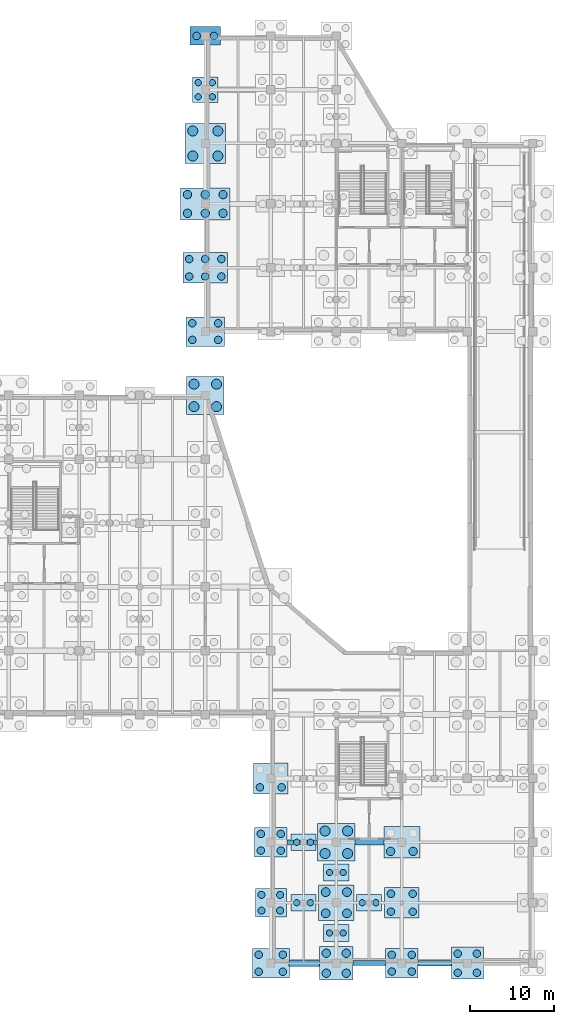
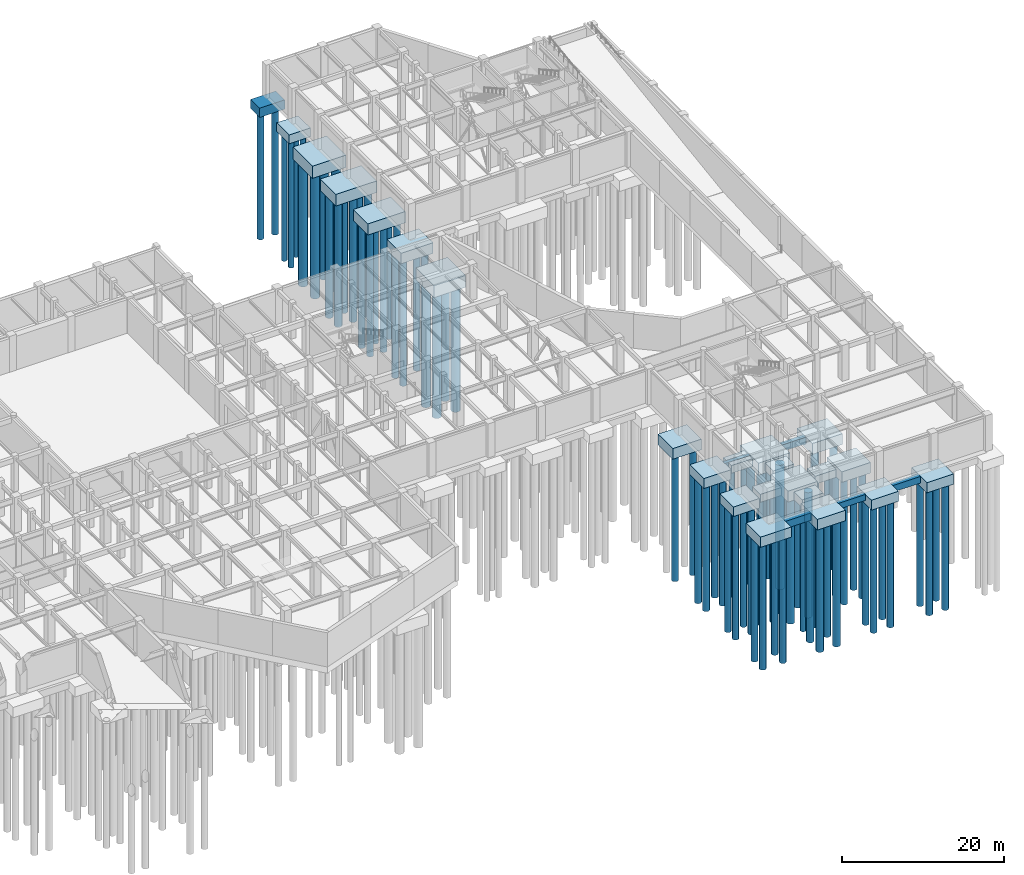
# One storey, part 10 of 52: 80 piles, 28 footings.
"""IFC4 building model written with IfcOpenShell, lengths in metres."""

from ifc_helpers import new_model, si_unit, direction, frame, origin, origin_2d, place, context, subcontext, project, spatial, rectangle, circle, extrude, material, material_profile, profile_set, type_object, element, save


model = new_model("IFC4")

# Units and contexts
model_context = context("Model", 3, precision=1e-05, world=origin(), true_north=direction((0.0, 1.0)))
body_context = subcontext(model_context, "Body", "Model", "MODEL_VIEW")
ifc_project = project(units=[si_unit("LENGTHUNIT", "METRE"), si_unit("AREAUNIT", "SQUARE_METRE"), si_unit("VOLUMEUNIT", "CUBIC_METRE"), si_unit("PLANEANGLEUNIT", "RADIAN"), si_unit("MASSUNIT", "GRAM", prefix="KILO")], contexts=[model_context])

# Site, building, storey
site_placement = place(None, origin())
site = spatial("IfcSite", under=ifc_project, at=site_placement, CompositionType="ELEMENT")
building_placement = place(site_placement, origin())
building = spatial("IfcBuilding", under=site, at=building_placement, Name="Xicomal Pleat Aquarium", CompositionType="ELEMENT")
storey_placement = place(building_placement, frame((0.0, 0.0, -5.39990234375)))
storey = spatial("IfcBuildingStorey", under=building, at=storey_placement, Name="B1", CompositionType="ELEMENT", Elevation=-5.39990234375)

# Footings
ifc_material_1 = material(Name="Concrete C40/50", Category="concrete")
ifc_material_profile_1 = material_profile(ifc_material_1, rectangle(XDim=0.5, YDim=0.800048828125, at=origin_2d()), Name="FB-01 500x800")
ifc_profile_set_1 = profile_set([ifc_material_profile_1], Name="Concrete C40/50")
footing_type_1 = type_object("IfcFootingType", Name="FTG-FB-500x800", PredefinedType="FOOTING_BEAM", material=ifc_profile_set_1)
footing_1_placement = place(storey_placement, frame((135.739990234375, 15.199951171875, -1.0), z_axis=(1.0, 0.0, 0.0), x_axis=(0.0, 1.0, 0.0)))
element("IfcFooting", 1, at=footing_1_placement, inside=storey, type_object=footing_type_1, Name="Foundation tie beam 17-18/C", PredefinedType="FOOTING_BEAM", context=body_context, shape_type="SweptSolid", body=[
    extrude(rectangle(XDim=0.5, YDim=0.800048828125, at=origin_2d()), origin(), (0.0, 0.0, 1.0), 3.6201171875),
])
ifc_material_2 = material(Name="Concrete C40/50", Category="concrete")
ifc_material_profile_2 = material_profile(ifc_material_2, rectangle(XDim=0.60009765625, YDim=0.89990234375, at=origin_2d()), Name="FB-02 600x900")
ifc_profile_set_2 = profile_set([ifc_material_profile_2], Name="Concrete C40/50")
footing_type_2 = type_object("IfcFootingType", Name="FTG-FB-600x900", PredefinedType="FOOTING_BEAM", material=ifc_profile_set_2)
footing_2_placement = place(storey_placement, frame((143.590087890625, 0.800048828125, -1.050048828125), z_axis=(1.0, 0.0, 0.0), x_axis=(0.0, 1.0, 0.0)))
element("IfcFooting", 2, at=footing_2_placement, inside=storey, type_object=footing_type_2, Name="Foundation tie beam 18-19/A", PredefinedType="FOOTING_BEAM", context=body_context, shape_type="SweptSolid", body=[
    extrude(rectangle(XDim=0.60009765625, YDim=0.89990234375, at=origin_2d()), origin(), (0.0, 0.0, 1.0), 3.869873046875),
])
ifc_material_3 = material(Name="Concrete C40/50", Category="concrete")
ifc_material_profile_3 = material_profile(ifc_material_3, rectangle(XDim=0.64990234375, YDim=1.0, at=origin_2d()), Name="FB-03 650x1000")
ifc_profile_set_3 = profile_set([ifc_material_profile_3], Name="Concrete C40/50")
footing_type_3 = type_object("IfcFootingType", Name="FTG-FB-650x1000", PredefinedType="FOOTING_BEAM", material=ifc_profile_set_3)
footing_3_placement = place(storey_placement, frame((143.840087890625, 15.199951171875, -1.10009765625), z_axis=(1.0, 0.0, 0.0), x_axis=(0.0, 1.0, 0.0)))
element("IfcFooting", 3, at=footing_3_placement, inside=storey, type_object=footing_type_3, Name="Foundation tie beam 18-19/C", PredefinedType="FOOTING_BEAM", context=body_context, shape_type="SweptSolid", body=[
    extrude(rectangle(XDim=0.64990234375, YDim=1.0, at=origin_2d()), origin(), (0.0, 0.0, 1.0), 3.419921875),
])
footing_4_placement = place(storey_placement, frame((151.340087890625, 0.800048828125, -1.10009765625), z_axis=(1.0, 0.0, 0.0), x_axis=(0.0, 1.0, 0.0)))
element("IfcFooting", 4, at=footing_4_placement, inside=storey, type_object=footing_type_3, Name="Foundation tie beam 19-20/A", PredefinedType="FOOTING_BEAM", context=body_context, shape_type="SweptSolid", body=[
    extrude(rectangle(XDim=0.64990234375, YDim=1.0, at=origin_2d()), origin(), (0.0, 0.0, 1.0), 3.969970703125),
])
ifc_material_4 = material(Name="Concrete C40/50", Category="concrete")
ifc_material_profile_4 = material_profile(ifc_material_4, rectangle(XDim=0.75, YDim=1.10009765625, at=origin_2d()), Name="FB-04 750x1100")
ifc_profile_set_4 = profile_set([ifc_material_profile_4], Name="Concrete C40/50")
footing_type_4 = type_object("IfcFootingType", Name="FTG-FB-750x1100", PredefinedType="FOOTING_BEAM", material=ifc_profile_set_4)
footing_5_placement = place(storey_placement, frame((135.989990234375, 0.800048828125, -1.150146484375), z_axis=(1.0, 0.0, 0.0), x_axis=(0.0, 1.0, 0.0)))
element("IfcFooting", 5, at=footing_5_placement, inside=storey, type_object=footing_type_4, Name="Foundation tie beam 17-18/A", PredefinedType="FOOTING_BEAM", context=body_context, shape_type="SweptSolid", body=[
    extrude(rectangle(XDim=0.75, YDim=1.10009765625, at=origin_2d()), origin(), (0.0, 0.0, 1.0), 3.6201171875),
])
ifc_material_5 = material(Name="Concrete C40/50", Category="concrete")
footing_type_5 = type_object("IfcFootingType", Name="FTG-PC-3000x2000x1200", PredefinedType="PILE_CAP", material=ifc_material_5)
for number, where, z_axis, x_axis, name in (
    (6, (137.699951171875, 8.0, -1.80029296875), (0.0, 0.0, 1.0), (1.0, 0.0, 0.0), "Pile cap SUB-24"),
    (7, (137.699951171875, 15.199951171875, -1.80029296875), (0.0, 0.0, 1.0), (1.0, 0.0, 0.0), "Pile cap SUB-25"),
    (8, (145.5, 8.0, -1.80029296875), (0.0, 0.0, 1.0), (1.0, 0.0, 0.0), "Pile cap SUB-30"),
    (9, (141.60009765625, 4.39990234375, -1.80029296875), (0.0, 0.0, 1.0), (1.0, 0.0, 0.0), "Pile cap SUB-61"),
    (10, (141.60009765625, 11.60009765625, -1.80029296875), (0.0, 0.0, 1.0), (1.0, 0.0, 0.0), "Pile cap SUB-62"),
):
    element("IfcFooting", number, at=place(storey_placement, frame(where, z_axis=z_axis, x_axis=x_axis)), inside=storey, type_object=footing_type_5, Name=name, PredefinedType="PILE_CAP", context=body_context, shape_type="SweptSolid", body=[
        extrude(rectangle(XDim=3.0, YDim=2.0, at=origin_2d()), origin(), (0.0, 0.0, 1.0), 1.199951171875),
    ])
ifc_material_6 = material(Name="Concrete C40/50", Category="concrete")
footing_type_6 = type_object("IfcFootingType", Name="FTG-PC-3050x3050x1350", PredefinedType="PILE_CAP", material=ifc_material_6)
footing_6_placement = place(storey_placement, frame((126.0, 104.800048828125, -1.9501953125), z_axis=(0.0, 0.0, 1.0), x_axis=(1.0, 0.0, 0.0)))
element("IfcFooting", 11, at=footing_6_placement, inside=storey, type_object=footing_type_6, Name="Pile cap 16-Q", PredefinedType="PILE_CAP", context=body_context, shape_type="SweptSolid", body=[
    extrude(rectangle(XDim=3.050048828125, YDim=3.050048828125, at=origin_2d()), origin(), (0.0, 0.0, 1.0), 1.35009765625),
])
ifc_material_7 = material(Name="Concrete C40/50", Category="concrete")
footing_type_7 = type_object("IfcFootingType", Name="FTG-PC-3600x2200x1400", PredefinedType="PILE_CAP", material=ifc_material_7)
footing_7_placement = place(storey_placement, frame((126.0, 111.199951171875, -2.0), z_axis=(0.0, 0.0, 1.0), x_axis=(1.0, 0.0, 0.0)))
element("IfcFooting", 12, at=footing_7_placement, inside=storey, type_object=footing_type_7, Name="Pile cap 16-R", PredefinedType="PILE_CAP", context=body_context, shape_type="SweptSolid", body=[
    extrude(rectangle(XDim=3.60009765625, YDim=2.199951171875, at=origin_2d()), origin(), (0.0, 0.0, 1.0), 1.39990234375),
])
ifc_material_8 = material(Name="Concrete C40/50", Category="concrete")
footing_type_8 = type_object("IfcFootingType", Name="FTG-PC-3700x3350x1450", PredefinedType="PILE_CAP", material=ifc_material_8)
footing_8_placement = place(storey_placement, frame((133.800048828125, 8.0, -2.05029296875), z_axis=(0.0, 0.0, 1.0), x_axis=(1.0, 0.0, 0.0)))
element("IfcFooting", 13, at=footing_8_placement, inside=storey, type_object=footing_type_8, Name="Pile cap 17-B", PredefinedType="PILE_CAP", context=body_context, shape_type="SweptSolid", body=[
    extrude(rectangle(XDim=3.699951171875, YDim=3.35009765625, at=origin_2d()), origin(), (0.0, 0.0, 1.0), 1.449951171875),
])
ifc_material_9 = material(Name="Concrete C40/50", Category="concrete")
footing_type_9 = type_object("IfcFootingType", Name="FTG-PC-3800x3800x1550", PredefinedType="PILE_CAP", material=ifc_material_9)
footing_9_placement = place(storey_placement, frame((157.199951171875, 0.800048828125, -2.14990234375), z_axis=(0.0, 0.0, 1.0), x_axis=(1.0, 0.0, 0.0)))
element("IfcFooting", 14, at=footing_9_placement, inside=storey, type_object=footing_type_9, Name="Pile cap 20-A", PredefinedType="PILE_CAP", context=body_context, shape_type="SweptSolid", body=[
    extrude(rectangle(XDim=3.800048828125, YDim=3.800048828125, at=origin_2d()), origin(), (0.0, 0.0, 1.0), 1.550048828125),
])
ifc_material_10 = material(Name="Concrete C40/50", Category="concrete")
footing_type_10 = type_object("IfcFootingType", Name="FTG-PC-3900x3500x1500", PredefinedType="PILE_CAP", material=ifc_material_10)
for number, where, z_axis, x_axis, name in (
    (15, (133.800048828125, 15.199951171875, -2.10009765625), (0.0, 0.0, 1.0), (1.0, 0.0, 0.0), "Pile cap 17-C"),
    (16, (149.39990234375, 0.800048828125, -2.10009765625), (0.0, 0.0, 1.0), (1.0, 0.0, 0.0), "Pile cap 19-A"),
):
    element("IfcFooting", number, at=place(storey_placement, frame(where, z_axis=z_axis, x_axis=x_axis)), inside=storey, type_object=footing_type_10, Name=name, PredefinedType="PILE_CAP", context=body_context, shape_type="SweptSolid", body=[
        extrude(rectangle(XDim=3.89990234375, YDim=3.5, at=origin_2d()), origin(), (0.0, 0.0, 1.0), 1.5),
    ])
ifc_material_11 = material(Name="Concrete C40/50", Category="concrete")
footing_type_11 = type_object("IfcFootingType", Name="FTG-PC-4000x4000x1600", PredefinedType="PILE_CAP", material=ifc_material_11)
footing_10_placement = place(storey_placement, frame((141.60009765625, 0.800048828125, -2.2001953125), z_axis=(0.0, 0.0, 1.0), x_axis=(1.0, 0.0, 0.0)))
element("IfcFooting", 17, at=footing_10_placement, inside=storey, type_object=footing_type_11, Name="Pile cap 18-A", PredefinedType="PILE_CAP", context=body_context, shape_type="SweptSolid", body=[
    extrude(rectangle(XDim=4.0, YDim=4.0, at=origin_2d()), origin(), (0.0, 0.0, 1.0), 1.60009765625),
])
ifc_material_12 = material(Name="Concrete C40/50", Category="concrete")
footing_type_12 = type_object("IfcFootingType", Name="FTG-PC-4100x3650x1600", PredefinedType="PILE_CAP", material=ifc_material_12)
for number, where, z_axis, x_axis, name in (
    (18, (133.800048828125, 22.800048828125, -2.2001953125), (0.0, 0.0, 1.0), (1.0, 0.0, 0.0), "Pile cap 17-D"),
    (19, (149.39990234375, 8.0, -2.2001953125), (0.0, 0.0, 1.0), (1.0, 0.0, 0.0), "Pile cap 19-B"),
):
    element("IfcFooting", number, at=place(storey_placement, frame(where, z_axis=z_axis, x_axis=x_axis)), inside=storey, type_object=footing_type_12, Name=name, PredefinedType="PILE_CAP", context=body_context, shape_type="SweptSolid", body=[
        extrude(rectangle(XDim=4.10009765625, YDim=3.64990234375, at=origin_2d()), origin(), (0.0, 0.0, 1.0), 1.60009765625),
    ])
ifc_material_13 = material(Name="Concrete C40/50", Category="concrete")
footing_type_13 = type_object("IfcFootingType", Name="FTG-PC-4200x4200x1650", PredefinedType="PILE_CAP", material=ifc_material_13)
footing_11_placement = place(storey_placement, frame((141.60009765625, 8.0, -2.25), z_axis=(0.0, 0.0, 1.0), x_axis=(1.0, 0.0, 0.0)))
element("IfcFooting", 20, at=footing_11_placement, inside=storey, type_object=footing_type_13, Name="Pile cap 18-B", PredefinedType="PILE_CAP", context=body_context, shape_type="SweptSolid", body=[
    extrude(rectangle(XDim=4.199951171875, YDim=4.199951171875, at=origin_2d()), origin(), (0.0, 0.0, 1.0), 1.64990234375),
])
ifc_material_14 = material(Name="Concrete C40/50", Category="concrete")
footing_type_14 = type_object("IfcFootingType", Name="FTG-PC-4300x3800x1650", PredefinedType="PILE_CAP", material=ifc_material_14)
footing_12_placement = place(storey_placement, frame((149.39990234375, 15.199951171875, -2.25), z_axis=(0.0, 0.0, 1.0), x_axis=(1.0, 0.0, 0.0)))
element("IfcFooting", 21, at=footing_12_placement, inside=storey, type_object=footing_type_14, Name="Pile cap 19-C", PredefinedType="PILE_CAP", context=body_context, shape_type="SweptSolid", body=[
    extrude(rectangle(XDim=4.300048828125, YDim=3.800048828125, at=origin_2d()), origin(), (0.0, 0.0, 1.0), 1.64990234375),
])
ifc_material_15 = material(Name="Concrete C40/50", Category="concrete")
footing_type_15 = type_object("IfcFootingType", Name="FTG-PC-4400x3550x1550", PredefinedType="PILE_CAP", material=ifc_material_15)
footing_13_placement = place(storey_placement, frame((133.800048828125, 0.800048828125, -2.14990234375), z_axis=(0.0, 0.0, 1.0), x_axis=(1.0, 0.0, 0.0)))
element("IfcFooting", 22, at=footing_13_placement, inside=storey, type_object=footing_type_15, Name="Pile cap 17-A", PredefinedType="PILE_CAP", context=body_context, shape_type="SweptSolid", body=[
    extrude(rectangle(XDim=4.39990234375, YDim=3.550048828125, at=origin_2d()), origin(), (0.0, 0.0, 1.0), 1.550048828125),
])
ifc_material_16 = material(Name="Concrete C40/50", Category="concrete")
footing_type_16 = type_object("IfcFootingType", Name="FTG-PC-4500x4500x1800", PredefinedType="PILE_CAP", material=ifc_material_16)
for number, where, z_axis, x_axis, name in (
    (23, (126.0, 68.39990234375, -2.39990234375), (0.0, 0.0, 1.0), (1.0, 0.0, 0.0), "Pile cap 16-K"),
    (24, (141.60009765625, 15.199951171875, -2.39990234375), (0.0, 0.0, 1.0), (1.0, 0.0, 0.0), "Pile cap 18-C"),
):
    element("IfcFooting", number, at=place(storey_placement, frame(where, z_axis=z_axis, x_axis=x_axis)), inside=storey, type_object=footing_type_16, Name=name, PredefinedType="PILE_CAP", context=body_context, shape_type="SweptSolid", body=[
        extrude(rectangle(XDim=4.5, YDim=4.5, at=origin_2d()), origin(), (0.0, 0.0, 1.0), 1.800048828125),
    ])
ifc_material_17 = material(Name="Concrete C40/50", Category="concrete")
footing_type_17 = type_object("IfcFootingType", Name="FTG-PC-4600x3500x1600", PredefinedType="PILE_CAP", material=ifc_material_17)
footing_14_placement = place(storey_placement, frame((126.0, 76.0, -2.2001953125), z_axis=(0.0, 0.0, 1.0), x_axis=(1.0, 0.0, 0.0)))
element("IfcFooting", 25, at=footing_14_placement, inside=storey, type_object=footing_type_17, Name="Pile cap 16-L", PredefinedType="PILE_CAP", context=body_context, shape_type="SweptSolid", body=[
    extrude(rectangle(XDim=4.60009765625, YDim=3.5, at=origin_2d()), origin(), (0.0, 0.0, 1.0), 1.60009765625),
])
ifc_material_18 = material(Name="Concrete C40/50", Category="concrete")
footing_type_18 = type_object("IfcFootingType", Name="FTG-PC-4800x4800x1850", PredefinedType="PILE_CAP", material=ifc_material_18)
footing_15_placement = place(storey_placement, frame((126.0, 98.39990234375, -2.4501953125), z_axis=(0.0, 0.0, 1.0), x_axis=(1.0, 0.0, 0.0)))
element("IfcFooting", 26, at=footing_15_placement, inside=storey, type_object=footing_type_18, Name="Pile cap 16-P", PredefinedType="PILE_CAP", context=body_context, shape_type="SweptSolid", body=[
    extrude(rectangle(XDim=4.800048828125, YDim=4.800048828125, at=origin_2d()), origin(), (0.0, 0.0, 1.0), 1.85009765625),
])
ifc_material_19 = material(Name="Concrete C40/50", Category="concrete")
footing_type_19 = type_object("IfcFootingType", Name="FTG-PC-5350x3600x1700", PredefinedType="PILE_CAP", material=ifc_material_19)
footing_16_placement = place(storey_placement, frame((126.0, 83.60009765625, -2.30029296875), z_axis=(0.0, 0.0, 1.0), x_axis=(1.0, 0.0, 0.0)))
element("IfcFooting", 27, at=footing_16_placement, inside=storey, type_object=footing_type_19, Name="Pile cap 16-M", PredefinedType="PILE_CAP", context=body_context, shape_type="SweptSolid", body=[
    extrude(rectangle(XDim=5.35009765625, YDim=3.60009765625, at=origin_2d()), origin(), (0.0, 0.0, 1.0), 1.699951171875),
])
ifc_material_20 = material(Name="Concrete C40/50", Category="concrete")
footing_type_20 = type_object("IfcFootingType", Name="FTG-PC-5850x3850x1750", PredefinedType="PILE_CAP", material=ifc_material_20)
footing_17_placement = place(storey_placement, frame((126.0, 91.199951171875, -2.35009765625), z_axis=(0.0, 0.0, 1.0), x_axis=(1.0, 0.0, 0.0)))
element("IfcFooting", 28, at=footing_17_placement, inside=storey, type_object=footing_type_20, Name="Pile cap 16-N", PredefinedType="PILE_CAP", context=body_context, shape_type="SweptSolid", body=[
    extrude(rectangle(XDim=5.85009765625, YDim=3.85009765625, at=origin_2d()), origin(), (0.0, 0.0, 1.0), 1.75),
])

# Piles
ifc_material_21 = material(Name="Concrete C40/50", Category="concrete")
ifc_material_profile_5 = material_profile(ifc_material_21, circle(Radius=0.5, at=origin_2d()), Name="BORED PILE D1000")
ifc_profile_set_5 = profile_set([ifc_material_profile_5], Name="Concrete C40/50")
pile_type_1 = type_object("IfcPileType", Name="PIL-B-1000", PredefinedType="BORED", material=ifc_profile_set_5)
for number, where, z_axis, x_axis, name in (
    (29, (123.885009765625, 90.0849609375, -2.25), (0.0, 0.0, -1.0), (1.0, 0.0, 0.0), "Bored pile 16-N-1"),
    (30, (126.0, 90.0849609375, -2.25), (0.0, 0.0, -1.0), (1.0, 0.0, 0.0), "Bored pile 16-N-2"),
    (31, (128.114990234375, 90.0849609375, -2.25), (0.0, 0.0, -1.0), (1.0, 0.0, 0.0), "Bored pile 16-N-3"),
    (32, (123.885009765625, 92.31494140625, -2.25), (0.0, 0.0, -1.0), (1.0, 0.0, 0.0), "Bored pile 16-N-4"),
    (33, (126.0, 92.31494140625, -2.25), (0.0, 0.0, -1.0), (1.0, 0.0, 0.0), "Bored pile 16-N-5"),
    (34, (128.114990234375, 92.31494140625, -2.25), (0.0, 0.0, -1.0), (1.0, 0.0, 0.0), "Bored pile 16-N-6"),
):
    element("IfcPile", number, at=place(storey_placement, frame(where, z_axis=z_axis, x_axis=x_axis)), inside=storey, type_object=pile_type_1, Name=name, PredefinedType="BORED", context=body_context, shape_type="SweptSolid", body=[
        extrude(circle(Radius=0.5, at=origin_2d()), origin(), (0.0, 0.0, 1.0), 18.85009765625),
    ])
for number, where, z_axis, x_axis, name in (
    (35, (140.409912109375, -0.389892578125, -2.10009765625), (0.0, 0.0, -1.0), (1.0, 0.0, 0.0), "Bored pile 18-A-1"),
    (36, (142.7900390625, -0.389892578125, -2.10009765625), (0.0, 0.0, -1.0), (1.0, 0.0, 0.0), "Bored pile 18-A-2"),
    (37, (140.409912109375, 1.989990234375, -2.10009765625), (0.0, 0.0, -1.0), (1.0, 0.0, 0.0), "Bored pile 18-A-3"),
    (38, (142.7900390625, 1.989990234375, -2.10009765625), (0.0, 0.0, -1.0), (1.0, 0.0, 0.0), "Bored pile 18-A-4"),
):
    element("IfcPile", number, at=place(storey_placement, frame(where, z_axis=z_axis, x_axis=x_axis)), inside=storey, type_object=pile_type_1, Name=name, PredefinedType="BORED", context=body_context, shape_type="SweptSolid", body=[
        extrude(circle(Radius=0.5, at=origin_2d()), origin(), (0.0, 0.0, 1.0), 19.0),
    ])
for number, where, z_axis, x_axis, name in (
    (39, (148.06005859375, 14.110107421875, -2.150146484375), (0.0, 0.0, -1.0), (1.0, 0.0, 0.0), "Bored pile 19-C-1"),
    (40, (150.739990234375, 14.110107421875, -2.150146484375), (0.0, 0.0, -1.0), (1.0, 0.0, 0.0), "Bored pile 19-C-2"),
):
    element("IfcPile", number, at=place(storey_placement, frame(where, z_axis=z_axis, x_axis=x_axis)), inside=storey, type_object=pile_type_1, Name=name, PredefinedType="BORED", context=body_context, shape_type="SweptSolid", body=[
        extrude(circle(Radius=0.5, at=origin_2d()), origin(), (0.0, 0.0, 1.0), 18.949951171875),
    ])
ifc_material_22 = material(Name="Concrete C40/50", Category="concrete")
ifc_material_profile_6 = material_profile(ifc_material_22, circle(Radius=0.52490234375, at=origin_2d()), Name="BORED PILE D1050")
ifc_profile_set_6 = profile_set([ifc_material_profile_6], Name="Concrete C40/50")
pile_type_2 = type_object("IfcPileType", Name="PIL-B-1050", PredefinedType="BORED", material=ifc_profile_set_6)
for number, where, z_axis, x_axis, name in (
    (41, (140.3349609375, 6.735107421875, -2.150146484375), (0.0, 0.0, -1.0), (1.0, 0.0, 0.0), "Bored pile 18-B-1"),
    (42, (142.864990234375, 6.735107421875, -2.150146484375), (0.0, 0.0, -1.0), (1.0, 0.0, 0.0), "Bored pile 18-B-2"),
    (43, (140.3349609375, 9.264892578125, -2.150146484375), (0.0, 0.0, -1.0), (1.0, 0.0, 0.0), "Bored pile 18-B-3"),
    (44, (142.864990234375, 9.264892578125, -2.150146484375), (0.0, 0.0, -1.0), (1.0, 0.0, 0.0), "Bored pile 18-B-4"),
):
    element("IfcPile", number, at=place(storey_placement, frame(where, z_axis=z_axis, x_axis=x_axis)), inside=storey, type_object=pile_type_2, Name=name, PredefinedType="BORED", context=body_context, shape_type="SweptSolid", body=[
        extrude(circle(Radius=0.52490234375, at=origin_2d()), origin(), (0.0, 0.0, 1.0), 18.949951171875),
    ])
ifc_material_23 = material(Name="Concrete C40/50", Category="concrete")
ifc_material_profile_7 = material_profile(ifc_material_23, circle(Radius=0.60009765625, at=origin_2d()), Name="BORED PILE D1200")
ifc_profile_set_7 = profile_set([ifc_material_profile_7], Name="Concrete C40/50")
pile_type_3 = type_object("IfcPileType", Name="PIL-B-1200", PredefinedType="BORED", material=ifc_profile_set_7)
for number, where, z_axis, x_axis, name in (
    (45, (124.659912109375, 67.06005859375, -2.300048828125), (0.0, 0.0, -1.0), (1.0, 0.0, 0.0), "Bored pile 16-K-1"),
    (46, (127.340087890625, 67.06005859375, -2.300048828125), (0.0, 0.0, -1.0), (1.0, 0.0, 0.0), "Bored pile 16-K-2"),
    (47, (124.659912109375, 69.739990234375, -2.300048828125), (0.0, 0.0, -1.0), (1.0, 0.0, 0.0), "Bored pile 16-K-3"),
    (48, (127.340087890625, 69.739990234375, -2.300048828125), (0.0, 0.0, -1.0), (1.0, 0.0, 0.0), "Bored pile 16-K-4"),
):
    element("IfcPile", number, at=place(storey_placement, frame(where, z_axis=z_axis, x_axis=x_axis)), inside=storey, type_object=pile_type_3, Name=name, PredefinedType="BORED", context=body_context, shape_type="SweptSolid", body=[
        extrude(circle(Radius=0.60009765625, at=origin_2d()), origin(), (0.0, 0.0, 1.0), 18.800048828125),
    ])
for number, where, z_axis, x_axis, name in (
    (49, (124.510009765625, 96.909912109375, -2.35009765625), (0.0, 0.0, -1.0), (1.0, 0.0, 0.0), "Bored pile 16-P-1"),
    (50, (127.489990234375, 96.909912109375, -2.35009765625), (0.0, 0.0, -1.0), (1.0, 0.0, 0.0), "Bored pile 16-P-2"),
    (51, (124.510009765625, 99.889892578125, -2.35009765625), (0.0, 0.0, -1.0), (1.0, 0.0, 0.0), "Bored pile 16-P-3"),
    (52, (127.489990234375, 99.889892578125, -2.35009765625), (0.0, 0.0, -1.0), (1.0, 0.0, 0.0), "Bored pile 16-P-4"),
):
    element("IfcPile", number, at=place(storey_placement, frame(where, z_axis=z_axis, x_axis=x_axis)), inside=storey, type_object=pile_type_3, Name=name, PredefinedType="BORED", context=body_context, shape_type="SweptSolid", body=[
        extrude(circle(Radius=0.60009765625, at=origin_2d()), origin(), (0.0, 0.0, 1.0), 18.75),
    ])
for number, where, z_axis, x_axis, name in (
    (53, (140.260009765625, 13.860107421875, -2.300048828125), (0.0, 0.0, -1.0), (1.0, 0.0, 0.0), "Bored pile 18-C-1"),
    (54, (142.93994140625, 13.860107421875, -2.300048828125), (0.0, 0.0, -1.0), (1.0, 0.0, 0.0), "Bored pile 18-C-2"),
    (55, (140.260009765625, 16.5400390625, -2.300048828125), (0.0, 0.0, -1.0), (1.0, 0.0, 0.0), "Bored pile 18-C-3"),
    (56, (142.93994140625, 16.5400390625, -2.300048828125), (0.0, 0.0, -1.0), (1.0, 0.0, 0.0), "Bored pile 18-C-4"),
):
    element("IfcPile", number, at=place(storey_placement, frame(where, z_axis=z_axis, x_axis=x_axis)), inside=storey, type_object=pile_type_3, Name=name, PredefinedType="BORED", context=body_context, shape_type="SweptSolid", body=[
        extrude(circle(Radius=0.60009765625, at=origin_2d()), origin(), (0.0, 0.0, 1.0), 18.800048828125),
    ])
ifc_material_24 = material(Name="Concrete C40/50", Category="concrete")
ifc_material_profile_8 = material_profile(ifc_material_24, circle(Radius=0.375, at=origin_2d()), Name="BORED PILE D750")
ifc_profile_set_8 = profile_set([ifc_material_profile_8], Name="Concrete C40/50")
pile_type_4 = type_object("IfcPileType", Name="PIL-B-750", PredefinedType="BORED", material=ifc_profile_set_8)
for number, where, z_axis, x_axis, name in (
    (57, (125.159912109375, 103.9599609375, -1.85009765625), (0.0, 0.0, -1.0), (1.0, 0.0, 0.0), "Bored pile 16-Q-1"),
    (58, (126.840087890625, 103.9599609375, -1.85009765625), (0.0, 0.0, -1.0), (1.0, 0.0, 0.0), "Bored pile 16-Q-2"),
    (59, (125.159912109375, 105.639892578125, -1.85009765625), (0.0, 0.0, -1.0), (1.0, 0.0, 0.0), "Bored pile 16-Q-3"),
    (60, (126.840087890625, 105.639892578125, -1.85009765625), (0.0, 0.0, -1.0), (1.0, 0.0, 0.0), "Bored pile 16-Q-4"),
):
    element("IfcPile", number, at=place(storey_placement, frame(where, z_axis=z_axis, x_axis=x_axis)), inside=storey, type_object=pile_type_4, Name=name, PredefinedType="BORED", context=body_context, shape_type="SweptSolid", body=[
        extrude(circle(Radius=0.375, at=origin_2d()), origin(), (0.0, 0.0, 1.0), 19.25),
    ])
for number, where, z_axis, x_axis, name in (
    (61, (136.885009765625, 8.0, -1.7001953125), (0.0, 0.0, -1.0), (1.0, 0.0, 0.0), "Bored pile SUB-24-1"),
    (62, (138.514892578125, 8.0, -1.7001953125), (0.0, 0.0, -1.0), (1.0, 0.0, 0.0), "Bored pile SUB-24-2"),
    (63, (136.885009765625, 15.199951171875, -1.7001953125), (0.0, 0.0, -1.0), (1.0, 0.0, 0.0), "Bored pile SUB-25-1"),
    (64, (138.514892578125, 15.199951171875, -1.7001953125), (0.0, 0.0, -1.0), (1.0, 0.0, 0.0), "Bored pile SUB-25-2"),
    (65, (144.68505859375, 8.0, -1.7001953125), (0.0, 0.0, -1.0), (1.0, 0.0, 0.0), "Bored pile SUB-30-1"),
    (66, (146.31494140625, 8.0, -1.7001953125), (0.0, 0.0, -1.0), (1.0, 0.0, 0.0), "Bored pile SUB-30-2"),
    (67, (140.784912109375, 4.39990234375, -1.7001953125), (0.0, 0.0, -1.0), (1.0, 0.0, 0.0), "Bored pile SUB-61-1"),
    (68, (142.4150390625, 4.39990234375, -1.7001953125), (0.0, 0.0, -1.0), (1.0, 0.0, 0.0), "Bored pile SUB-61-2"),
    (69, (140.784912109375, 11.60009765625, -1.7001953125), (0.0, 0.0, -1.0), (1.0, 0.0, 0.0), "Bored pile SUB-62-1"),
    (70, (142.4150390625, 11.60009765625, -1.7001953125), (0.0, 0.0, -1.0), (1.0, 0.0, 0.0), "Bored pile SUB-62-2"),
):
    element("IfcPile", number, at=place(storey_placement, frame(where, z_axis=z_axis, x_axis=x_axis)), inside=storey, type_object=pile_type_4, Name=name, PredefinedType="BORED", context=body_context, shape_type="SweptSolid", body=[
        extrude(circle(Radius=0.375, at=origin_2d()), origin(), (0.0, 0.0, 1.0), 19.39990234375),
    ])
ifc_material_25 = material(Name="Concrete C40/50", Category="concrete")
ifc_material_profile_9 = material_profile(ifc_material_25, circle(Radius=0.425048828125, at=origin_2d()), Name="BORED PILE D850")
ifc_profile_set_9 = profile_set([ifc_material_profile_9], Name="Concrete C40/50")
pile_type_5 = type_object("IfcPileType", Name="PIL-B-850", PredefinedType="BORED", material=ifc_profile_set_9)
for number, where, z_axis, x_axis, name in (
    (71, (132.68505859375, 7.06005859375, -1.9501953125), (0.0, 0.0, -1.0), (1.0, 0.0, 0.0), "Bored pile 17-B-1"),
    (72, (134.9150390625, 7.06005859375, -1.9501953125), (0.0, 0.0, -1.0), (1.0, 0.0, 0.0), "Bored pile 17-B-2"),
    (73, (132.68505859375, 8.93994140625, -1.9501953125), (0.0, 0.0, -1.0), (1.0, 0.0, 0.0), "Bored pile 17-B-3"),
    (74, (134.9150390625, 8.93994140625, -1.9501953125), (0.0, 0.0, -1.0), (1.0, 0.0, 0.0), "Bored pile 17-B-4"),
):
    element("IfcPile", number, at=place(storey_placement, frame(where, z_axis=z_axis, x_axis=x_axis)), inside=storey, type_object=pile_type_5, Name=name, PredefinedType="BORED", context=body_context, shape_type="SweptSolid", body=[
        extrude(circle(Radius=0.425048828125, at=origin_2d()), origin(), (0.0, 0.0, 1.0), 19.14990234375),
    ])
ifc_material_26 = material(Name="Concrete C40/50", Category="concrete")
ifc_material_profile_10 = material_profile(ifc_material_26, circle(Radius=0.449951171875, at=origin_2d()), Name="BORED PILE D900")
ifc_profile_set_10 = profile_set([ifc_material_profile_10], Name="Concrete C40/50")
pile_type_6 = type_object("IfcPileType", Name="PIL-B-900", PredefinedType="BORED", material=ifc_profile_set_10)
for number, where, z_axis, x_axis, name in (
    (75, (124.4599609375, 75.010009765625, -2.10009765625), (0.0, 0.0, -1.0), (1.0, 0.0, 0.0), "Bored pile 16-L-1"),
    (76, (127.5400390625, 75.010009765625, -2.10009765625), (0.0, 0.0, -1.0), (1.0, 0.0, 0.0), "Bored pile 16-L-2"),
    (77, (124.4599609375, 76.989990234375, -2.10009765625), (0.0, 0.0, -1.0), (1.0, 0.0, 0.0), "Bored pile 16-L-3"),
    (78, (127.5400390625, 76.989990234375, -2.10009765625), (0.0, 0.0, -1.0), (1.0, 0.0, 0.0), "Bored pile 16-L-4"),
):
    element("IfcPile", number, at=place(storey_placement, frame(where, z_axis=z_axis, x_axis=x_axis)), inside=storey, type_object=pile_type_6, Name=name, PredefinedType="BORED", context=body_context, shape_type="SweptSolid", body=[
        extrude(circle(Radius=0.449951171875, at=origin_2d()), origin(), (0.0, 0.0, 1.0), 19.0),
    ])
for number, where, z_axis, x_axis, name in (
    (79, (124.0849609375, 82.56005859375, -2.2001953125), (0.0, 0.0, -1.0), (1.0, 0.0, 0.0), "Bored pile 16-M-1"),
    (80, (126.0, 82.56005859375, -2.2001953125), (0.0, 0.0, -1.0), (1.0, 0.0, 0.0), "Bored pile 16-M-2"),
    (81, (127.9150390625, 82.56005859375, -2.2001953125), (0.0, 0.0, -1.0), (1.0, 0.0, 0.0), "Bored pile 16-M-3"),
    (82, (124.0849609375, 84.639892578125, -2.2001953125), (0.0, 0.0, -1.0), (1.0, 0.0, 0.0), "Bored pile 16-M-4"),
    (83, (126.0, 84.639892578125, -2.2001953125), (0.0, 0.0, -1.0), (1.0, 0.0, 0.0), "Bored pile 16-M-5"),
    (84, (127.9150390625, 84.639892578125, -2.2001953125), (0.0, 0.0, -1.0), (1.0, 0.0, 0.0), "Bored pile 16-M-6"),
):
    element("IfcPile", number, at=place(storey_placement, frame(where, z_axis=z_axis, x_axis=x_axis)), inside=storey, type_object=pile_type_6, Name=name, PredefinedType="BORED", context=body_context, shape_type="SweptSolid", body=[
        extrude(circle(Radius=0.449951171875, at=origin_2d()), origin(), (0.0, 0.0, 1.0), 18.89990234375),
    ])
for number, where, z_axis, x_axis, name in (
    (85, (124.9599609375, 111.199951171875, -1.900146484375), (0.0, 0.0, -1.0), (1.0, 0.0, 0.0), "Bored pile 16-R-1"),
    (86, (127.0400390625, 111.199951171875, -1.900146484375), (0.0, 0.0, -1.0), (1.0, 0.0, 0.0), "Bored pile 16-R-2"),
):
    element("IfcPile", number, at=place(storey_placement, frame(where, z_axis=z_axis, x_axis=x_axis)), inside=storey, type_object=pile_type_6, Name=name, PredefinedType="BORED", context=body_context, shape_type="SweptSolid", body=[
        extrude(circle(Radius=0.449951171875, at=origin_2d()), origin(), (0.0, 0.0, 1.0), 19.199951171875),
    ])
for number, where, z_axis, x_axis, name in (
    (87, (132.360107421875, -0.215087890625, -2.050048828125), (0.0, 0.0, -1.0), (1.0, 0.0, 0.0), "Bored pile 17-A-1"),
    (88, (135.239990234375, -0.215087890625, -2.050048828125), (0.0, 0.0, -1.0), (1.0, 0.0, 0.0), "Bored pile 17-A-2"),
    (89, (132.360107421875, 1.81494140625, -2.050048828125), (0.0, 0.0, -1.0), (1.0, 0.0, 0.0), "Bored pile 17-A-3"),
    (90, (135.239990234375, 1.81494140625, -2.050048828125), (0.0, 0.0, -1.0), (1.0, 0.0, 0.0), "Bored pile 17-A-4"),
):
    element("IfcPile", number, at=place(storey_placement, frame(where, z_axis=z_axis, x_axis=x_axis)), inside=storey, type_object=pile_type_6, Name=name, PredefinedType="BORED", context=body_context, shape_type="SweptSolid", body=[
        extrude(circle(Radius=0.449951171875, at=origin_2d()), origin(), (0.0, 0.0, 1.0), 19.050048828125),
    ])
for number, where, z_axis, x_axis, name in (
    (91, (132.610107421875, 14.2099609375, -2.0), (0.0, 0.0, -1.0), (1.0, 0.0, 0.0), "Bored pile 17-C-1"),
    (92, (134.989990234375, 14.2099609375, -2.0), (0.0, 0.0, -1.0), (1.0, 0.0, 0.0), "Bored pile 17-C-2"),
    (93, (132.610107421875, 16.18994140625, -2.0), (0.0, 0.0, -1.0), (1.0, 0.0, 0.0), "Bored pile 17-C-3"),
    (94, (134.989990234375, 16.18994140625, -2.0), (0.0, 0.0, -1.0), (1.0, 0.0, 0.0), "Bored pile 17-C-4"),
):
    element("IfcPile", number, at=place(storey_placement, frame(where, z_axis=z_axis, x_axis=x_axis)), inside=storey, type_object=pile_type_6, Name=name, PredefinedType="BORED", context=body_context, shape_type="SweptSolid", body=[
        extrude(circle(Radius=0.449951171875, at=origin_2d()), origin(), (0.0, 0.0, 1.0), 19.10009765625),
    ])
for number, where, z_axis, x_axis, name in (
    (95, (132.510009765625, 21.735107421875, -2.10009765625), (0.0, 0.0, -1.0), (1.0, 0.0, 0.0), "Bored pile 17-D-1"),
    (96, (135.090087890625, 21.735107421875, -2.10009765625), (0.0, 0.0, -1.0), (1.0, 0.0, 0.0), "Bored pile 17-D-2"),
):
    element("IfcPile", number, at=place(storey_placement, frame(where, z_axis=z_axis, x_axis=x_axis)), inside=storey, type_object=pile_type_6, Name=name, PredefinedType="BORED", context=body_context, shape_type="SweptSolid", body=[
        extrude(circle(Radius=0.449951171875, at=origin_2d()), origin(), (0.0, 0.0, 1.0), 19.0),
    ])
for number, where, z_axis, x_axis, name in (
    (97, (148.2099609375, -0.18994140625, -2.0), (0.0, 0.0, -1.0), (1.0, 0.0, 0.0), "Bored pile 19-A-1"),
    (98, (150.590087890625, -0.18994140625, -2.0), (0.0, 0.0, -1.0), (1.0, 0.0, 0.0), "Bored pile 19-A-2"),
    (99, (148.2099609375, 1.7900390625, -2.0), (0.0, 0.0, -1.0), (1.0, 0.0, 0.0), "Bored pile 19-A-3"),
    (100, (150.590087890625, 1.7900390625, -2.0), (0.0, 0.0, -1.0), (1.0, 0.0, 0.0), "Bored pile 19-A-4"),
):
    element("IfcPile", number, at=place(storey_placement, frame(where, z_axis=z_axis, x_axis=x_axis)), inside=storey, type_object=pile_type_6, Name=name, PredefinedType="BORED", context=body_context, shape_type="SweptSolid", body=[
        extrude(circle(Radius=0.449951171875, at=origin_2d()), origin(), (0.0, 0.0, 1.0), 19.10009765625),
    ])
for number, where, z_axis, x_axis, name in (
    (101, (148.110107421875, 6.93505859375, -2.10009765625), (0.0, 0.0, -1.0), (1.0, 0.0, 0.0), "Bored pile 19-B-1"),
    (102, (150.68994140625, 6.93505859375, -2.10009765625), (0.0, 0.0, -1.0), (1.0, 0.0, 0.0), "Bored pile 19-B-2"),
    (103, (148.110107421875, 9.06494140625, -2.10009765625), (0.0, 0.0, -1.0), (1.0, 0.0, 0.0), "Bored pile 19-B-3"),
    (104, (150.68994140625, 9.06494140625, -2.10009765625), (0.0, 0.0, -1.0), (1.0, 0.0, 0.0), "Bored pile 19-B-4"),
):
    element("IfcPile", number, at=place(storey_placement, frame(where, z_axis=z_axis, x_axis=x_axis)), inside=storey, type_object=pile_type_6, Name=name, PredefinedType="BORED", context=body_context, shape_type="SweptSolid", body=[
        extrude(circle(Radius=0.449951171875, at=origin_2d()), origin(), (0.0, 0.0, 1.0), 19.0),
    ])
for number, where, z_axis, x_axis, name in (
    (105, (156.06005859375, -0.340087890625, -2.050048828125), (0.0, 0.0, -1.0), (1.0, 0.0, 0.0), "Bored pile 20-A-1"),
    (106, (158.340087890625, -0.340087890625, -2.050048828125), (0.0, 0.0, -1.0), (1.0, 0.0, 0.0), "Bored pile 20-A-2"),
    (107, (156.06005859375, 1.93994140625, -2.050048828125), (0.0, 0.0, -1.0), (1.0, 0.0, 0.0), "Bored pile 20-A-3"),
    (108, (158.340087890625, 1.93994140625, -2.050048828125), (0.0, 0.0, -1.0), (1.0, 0.0, 0.0), "Bored pile 20-A-4"),
):
    element("IfcPile", number, at=place(storey_placement, frame(where, z_axis=z_axis, x_axis=x_axis)), inside=storey, type_object=pile_type_6, Name=name, PredefinedType="BORED", context=body_context, shape_type="SweptSolid", body=[
        extrude(circle(Radius=0.449951171875, at=origin_2d()), origin(), (0.0, 0.0, 1.0), 19.050048828125),
    ])

save(model, "model.ifc")
